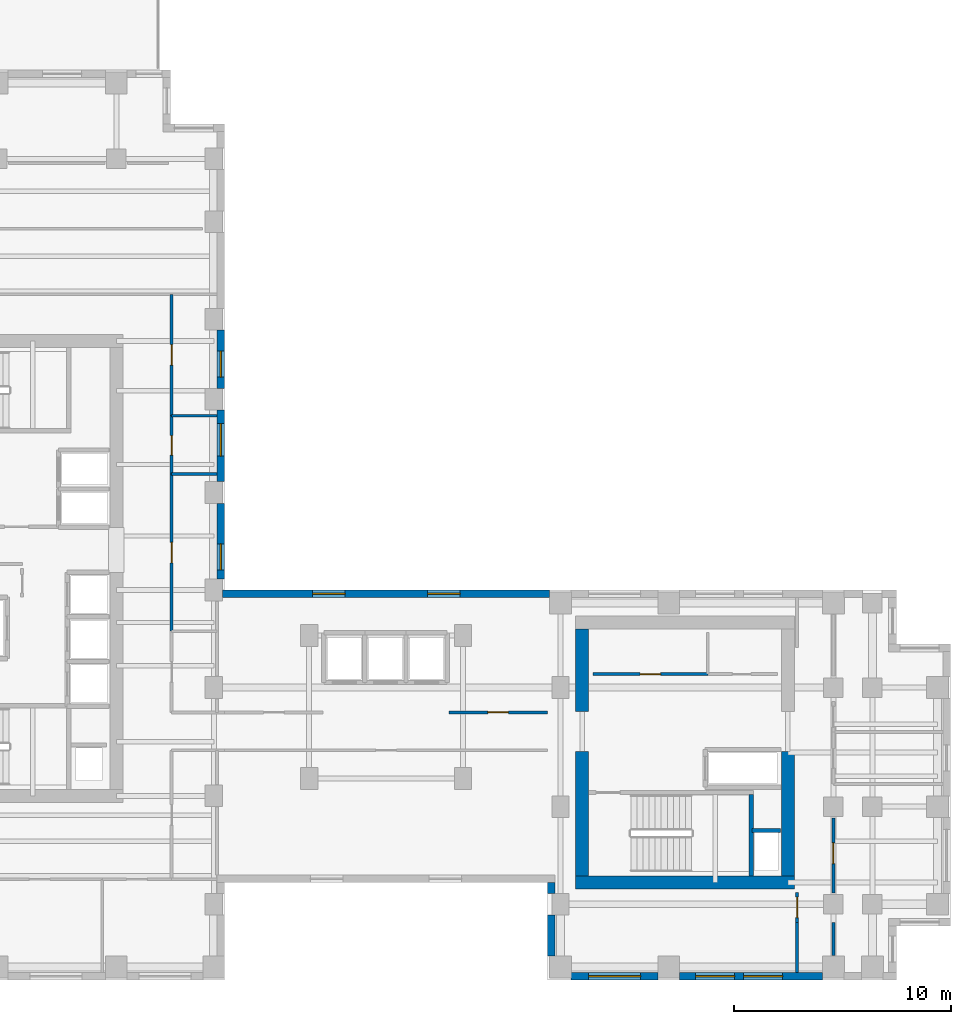
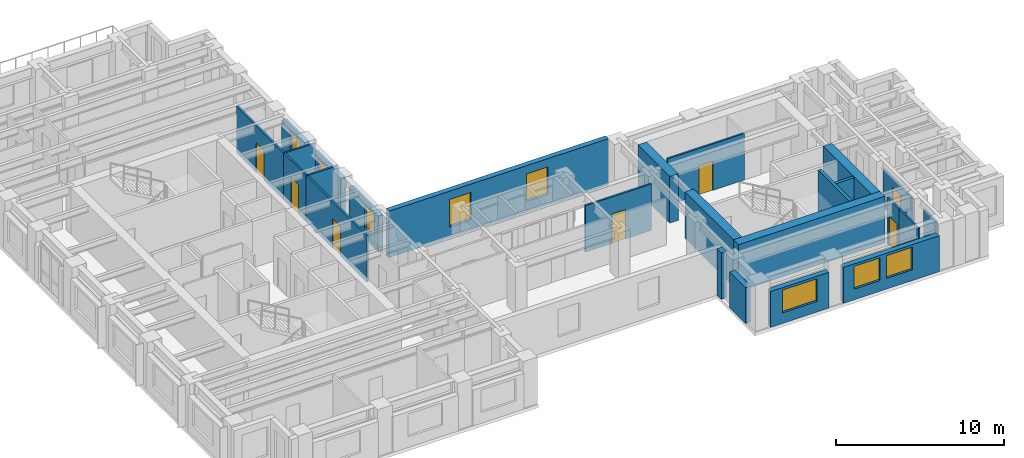
# One storey, part 7 of 13: 25 walls, 8 windows, 7 doors, 15 openings.
"""IFC4 building model written with IfcOpenShell, lengths in metres."""

from ifc_helpers import new_model, si_unit, direction, frame, frame_2d, origin, place, context, subcontext, project, spatial, rectangle, extrude, source, transform, mapped, material, layer, layer_set, type_object, element, fill, save


model = new_model("IFC4")

# Units and contexts
model_context = context("Model", 3, precision=1e-05, world=origin(), true_north=direction((0.0, 1.0)))
body_context = subcontext(model_context, "Body", "Model", "MODEL_VIEW")
ifc_project = project(units=[si_unit("LENGTHUNIT", "METRE"), si_unit("AREAUNIT", "SQUARE_METRE"), si_unit("VOLUMEUNIT", "CUBIC_METRE"), si_unit("PLANEANGLEUNIT", "RADIAN"), si_unit("MASSUNIT", "GRAM", prefix="KILO")], contexts=[model_context])

# Site, building, storey
site_placement = place(None, origin())
site = spatial("IfcSite", under=ifc_project, at=site_placement, CompositionType="ELEMENT")
building_placement = place(site_placement, origin())
building = spatial("IfcBuilding", under=site, at=building_placement, Name="Kharzan Plaza Tower", CompositionType="ELEMENT")
storey_placement = place(building_placement, frame((0.0, 0.0, 143.10009765625)))
storey = spatial("IfcBuildingStorey", under=building, at=storey_placement, Name="L38", CompositionType="ELEMENT", Elevation=143.10009765625)

# Wall, opening, window
ifc_material_1 = material(Name="Concrete C40/50", Category="concrete")
ifc_layer_1 = layer(ifc_material_1, 0.35009765625)
ifc_layer_set_1 = layer_set([ifc_layer_1], Name="Concrete C40/50")
wall_type_1 = type_object("IfcWallType", Name="WL-EXT-MAS-Z3", PredefinedType="SOLIDWALL", material=ifc_layer_set_1)
wall_1_placement = place(storey_placement, frame((35.498046875, 0.175048828125, 0.0), z_axis=(0.0, 0.0, 1.0), x_axis=(1.0, 0.0, 0.0)))
wall_1 = element("IfcWall", 1, at=wall_1_placement, inside=storey, type_object=wall_type_1, Name="L38 Masonry-Frame Exterior Wall 30", PredefinedType="SOLIDWALL", context=body_context, shape_type="SweptSolid", body=[
    extrude(rectangle(XDim=4.00390625, YDim=0.35009765625, at=frame_2d((2.001953125, 0.0))), origin(), (0.0, 0.0, 1.0), 2.61181640625),
])
opening_1_placement = place(wall_1_placement, frame((0.802001953125, 0.0, 0.780029296875)))
opening_1 = element("IfcOpeningElement", 2, at=opening_1_placement, cuts=wall_1, Name="Opening W2", PredefinedType="OPENING", context=body_context, shape_type="SweptSolid", body=[
    extrude(rectangle(XDim=2.39990234375, YDim=1.652099609375, at=frame_2d((1.199951171875, 0.826171875))), frame((0.0, 0.18505859375, 0.0), z_axis=(0.0, -1.0, 0.0), x_axis=(1.0, 0.0, 0.0)), (0.0, 0.0, 1.0), 0.3701171875),
])
ifc_material_2 = material(Name="Low-E Double Glazing", Category="glass")
window_type_1 = type_object("IfcWindowType", Name="WN-REC-2400x2100", PartitioningType="SINGLE_PANEL", PredefinedType="WINDOW", material=ifc_material_2)
shared_shape_1 = source(origin(), body_context, "Body", "SweptSolid", [
    extrude(rectangle(XDim=2.39990234375, YDim=1.652099609375, at=frame_2d((1.199951171875, 0.826171875))), frame((0.0, 0.030029296875, 0.0), z_axis=(0.0, -1.0, 0.0), x_axis=(1.0, 0.0, 0.0)), (0.0, 0.0, 1.0), 0.06005859375),
])
window_1_placement = place(opening_1_placement, origin())
window_1 = element("IfcWindow", 3, at=window_1_placement, inside=storey, type_object=window_type_1, Name="L38 Wide Recessed Solar-Control Window 30-1", OverallHeight=1.652099609375, OverallWidth=2.39990234375, PartitioningType="SINGLE_PANEL", PredefinedType="WINDOW", context=body_context, shape_type="MappedRepresentation", body=[
    mapped(shared_shape_1, transform((0.0, 0.0, 0.0), x_axis=(1.0, 0.0, 0.0), y_axis=(0.0, 1.0, 0.0), z_axis=(0.0, 0.0, 1.0))),
])
fill(opening_1, window_1)

# Wall, openings, windows
wall_2_placement = place(storey_placement, frame((40.498046875, 0.175048828125, 0.0), z_axis=(0.0, 0.0, 1.0), x_axis=(1.0, 0.0, 0.0)))
wall_2 = element("IfcWall", 4, at=wall_2_placement, inside=storey, type_object=wall_type_1, Name="L38 Masonry-Frame Exterior Wall 31", PredefinedType="SOLIDWALL", context=body_context, shape_type="SweptSolid", body=[
    extrude(rectangle(XDim=6.60400390625, YDim=0.35009765625, at=frame_2d((3.302001953125, 0.0))), origin(), (0.0, 0.0, 1.0), 2.61181640625),
])
opening_2_placement = place(wall_2_placement, frame((0.7373046875, 0.0, 0.780029296875)))
opening_2 = element("IfcOpeningElement", 5, at=opening_2_placement, cuts=wall_2, Name="Opening W1", PredefinedType="OPENING", context=body_context, shape_type="SweptSolid", body=[
    extrude(rectangle(XDim=1.800048828125, YDim=1.652099609375, at=frame_2d((0.89990234375, 0.826171875))), frame((0.0, 0.18505859375, 0.0), z_axis=(0.0, -1.0, 0.0), x_axis=(1.0, 0.0, 0.0)), (0.0, 0.0, 1.0), 0.3701171875),
])
opening_3_placement = place(wall_2_placement, frame((2.95458984375, 0.0, 0.780029296875)))
opening_3 = element("IfcOpeningElement", 6, at=opening_3_placement, cuts=wall_2, Name="Opening W1", PredefinedType="OPENING", context=body_context, shape_type="SweptSolid", body=[
    extrude(rectangle(XDim=1.800048828125, YDim=1.652099609375, at=frame_2d((0.89990234375, 0.826171875))), frame((0.0, 0.18505859375, 0.0), z_axis=(0.0, -1.0, 0.0), x_axis=(1.0, 0.0, 0.0)), (0.0, 0.0, 1.0), 0.3701171875),
])
window_type_2 = type_object("IfcWindowType", Name="WN-REC-1800x2100", PartitioningType="SINGLE_PANEL", PredefinedType="WINDOW", material=ifc_material_2)
shared_shape_2 = source(origin(), body_context, "Body", "SweptSolid", [
    extrude(rectangle(XDim=1.800048828125, YDim=1.652099609375, at=frame_2d((0.89990234375, 0.826171875))), frame((0.0, 0.030029296875, 0.0), z_axis=(0.0, -1.0, 0.0), x_axis=(1.0, 0.0, 0.0)), (0.0, 0.0, 1.0), 0.06005859375),
])
window_2_placement = place(opening_2_placement, origin())
window_2 = element("IfcWindow", 7, at=window_2_placement, inside=storey, type_object=window_type_2, Name="L38 Recessed Solar-Control Window 31-1", OverallHeight=1.652099609375, OverallWidth=1.800048828125, PartitioningType="SINGLE_PANEL", PredefinedType="WINDOW", context=body_context, shape_type="MappedRepresentation", body=[
    mapped(shared_shape_2, transform((0.0, 0.0, 0.0), x_axis=(1.0, 0.0, 0.0), y_axis=(0.0, 1.0, 0.0), z_axis=(0.0, 0.0, 1.0))),
])
fill(opening_2, window_2)
window_3_placement = place(opening_3_placement, origin())
window_3 = element("IfcWindow", 8, at=window_3_placement, inside=storey, type_object=window_type_2, Name="L38 Recessed Solar-Control Window 31-2", OverallHeight=1.652099609375, OverallWidth=1.800048828125, PartitioningType="SINGLE_PANEL", PredefinedType="WINDOW", context=body_context, shape_type="MappedRepresentation", body=[
    mapped(shared_shape_2, transform((0.0, 0.0, 0.0), x_axis=(1.0, 0.0, 0.0), y_axis=(0.0, 1.0, 0.0), z_axis=(0.0, 0.0, 1.0))),
])
fill(opening_3, window_3)

wall_3_placement = place(storey_placement, frame((34.501953125, 17.824951171875, 0.0), z_axis=(0.0, 0.0, 1.0), x_axis=(-1.0, 0.0, 0.0)))
wall_3 = element("IfcWall", 9, at=wall_3_placement, inside=storey, type_object=wall_type_1, Name="L38 Masonry-Frame Exterior Wall 45", PredefinedType="SOLIDWALL", context=body_context, shape_type="SweptSolid", body=[
    extrude(rectangle(XDim=15.10400390625, YDim=0.35009765625, at=frame_2d((7.552001953125, 0.0))), origin(), (0.0, 0.0, 1.0), 3.385009765625),
])
opening_4_placement = place(wall_3_placement, frame((4.131103515625, 0.0, 0.780029296875)))
opening_4 = element("IfcOpeningElement", 10, at=opening_4_placement, cuts=wall_3, Name="Opening W5", PredefinedType="OPENING", context=body_context, shape_type="SweptSolid", body=[
    extrude(rectangle(XDim=1.5, YDim=2.0, at=frame_2d((0.75, 1.0))), frame((0.0, 0.18505859375, 0.0), z_axis=(0.0, -1.0, 0.0), x_axis=(1.0, 0.0, 0.0)), (0.0, 0.0, 1.0), 0.3701171875),
])
opening_5_placement = place(wall_3_placement, frame((9.4423828125, 0.0, 0.780029296875)))
opening_5 = element("IfcOpeningElement", 11, at=opening_5_placement, cuts=wall_3, Name="Opening W5", PredefinedType="OPENING", context=body_context, shape_type="SweptSolid", body=[
    extrude(rectangle(XDim=1.5, YDim=2.0, at=frame_2d((0.75, 1.0))), frame((0.0, 0.18505859375, 0.0), z_axis=(0.0, -1.0, 0.0), x_axis=(1.0, 0.0, 0.0)), (0.0, 0.0, 1.0), 0.3701171875),
])
window_type_3 = type_object("IfcWindowType", Name="WN-SLT-1500x2000", PartitioningType="SINGLE_PANEL", PredefinedType="WINDOW", material=ifc_material_2)
shared_shape_3 = source(origin(), body_context, "Body", "SweptSolid", [
    extrude(rectangle(XDim=1.5, YDim=2.0, at=frame_2d((0.75, 1.0))), frame((0.0, 0.030029296875, 0.0), z_axis=(0.0, -1.0, 0.0), x_axis=(1.0, 0.0, 0.0)), (0.0, 0.0, 1.0), 0.06005859375),
])
window_4_placement = place(opening_4_placement, origin())
window_4 = element("IfcWindow", 12, at=window_4_placement, inside=storey, type_object=window_type_3, Name="L38 Recessed Solar-Control Window 45-1", OverallHeight=2.0, OverallWidth=1.5, PartitioningType="SINGLE_PANEL", PredefinedType="WINDOW", context=body_context, shape_type="MappedRepresentation", body=[
    mapped(shared_shape_3, transform((0.0, 0.0, 0.0), x_axis=(1.0, 0.0, 0.0), y_axis=(0.0, 1.0, 0.0), z_axis=(0.0, 0.0, 1.0))),
])
fill(opening_4, window_4)
window_5_placement = place(opening_5_placement, origin())
window_5 = element("IfcWindow", 13, at=window_5_placement, inside=storey, type_object=window_type_3, Name="L38 Recessed Solar-Control Window 45-2", OverallHeight=2.0, OverallWidth=1.5, PartitioningType="SINGLE_PANEL", PredefinedType="WINDOW", context=body_context, shape_type="MappedRepresentation", body=[
    mapped(shared_shape_3, transform((0.0, 0.0, 0.0), x_axis=(1.0, 0.0, 0.0), y_axis=(0.0, 1.0, 0.0), z_axis=(0.0, 0.0, 1.0))),
])
fill(opening_5, window_5)

# Wall, opening, window
wall_4_placement = place(storey_placement, frame((19.324951171875, 18.498046875, 0.0), z_axis=(0.0, 0.0, 1.0), x_axis=(0.0, 1.0, 0.0)))
wall_4 = element("IfcWall", 14, at=wall_4_placement, inside=storey, type_object=wall_type_1, Name="L38 Masonry-Frame Exterior Wall 46", PredefinedType="SOLIDWALL", context=body_context, shape_type="SweptSolid", body=[
    extrude(rectangle(XDim=3.50390625, YDim=0.35009765625, at=frame_2d((1.751953125, 0.0))), origin(), (0.0, 0.0, 1.0), 2.61181640625),
])
opening_6_placement = place(wall_4_placement, frame((0.4326171875, 0.0, 0.780029296875)))
opening_6 = element("IfcOpeningElement", 15, at=opening_6_placement, cuts=wall_4, Name="Opening W3", PredefinedType="OPENING", context=body_context, shape_type="SweptSolid", body=[
    extrude(rectangle(XDim=1.199951171875, YDim=1.652099609375, at=frame_2d((0.60009765625, 0.826171875))), frame((0.0, 0.18505859375, 0.0), z_axis=(0.0, -1.0, 0.0), x_axis=(1.0, 0.0, 0.0)), (0.0, 0.0, 1.0), 0.3701171875),
])
window_type_4 = type_object("IfcWindowType", Name="WN-REC-1200x2100", PartitioningType="SINGLE_PANEL", PredefinedType="WINDOW", material=ifc_material_2)
shared_shape_4 = source(origin(), body_context, "Body", "SweptSolid", [
    extrude(rectangle(XDim=1.199951171875, YDim=1.652099609375, at=frame_2d((0.60009765625, 0.826171875))), frame((0.0, 0.030029296875, 0.0), z_axis=(0.0, -1.0, 0.0), x_axis=(1.0, 0.0, 0.0)), (0.0, 0.0, 1.0), 0.06005859375),
])
window_6_placement = place(opening_6_placement, origin())
window_6 = element("IfcWindow", 16, at=window_6_placement, inside=storey, type_object=window_type_4, Name="L38 Recessed Solar-Control Window 46-1", OverallHeight=1.652099609375, OverallWidth=1.199951171875, PartitioningType="SINGLE_PANEL", PredefinedType="WINDOW", context=body_context, shape_type="MappedRepresentation", body=[
    mapped(shared_shape_4, transform((0.0, 0.0, 0.0), x_axis=(1.0, 0.0, 0.0), y_axis=(0.0, 1.0, 0.0), z_axis=(0.0, 0.0, 1.0))),
])
fill(opening_6, window_6)

wall_5_placement = place(storey_placement, frame((19.324951171875, 22.998046875, 0.0), z_axis=(0.0, 0.0, 1.0), x_axis=(0.0, 1.0, 0.0)))
wall_5 = element("IfcWall", 17, at=wall_5_placement, inside=storey, type_object=wall_type_1, Name="L38 Masonry-Frame Exterior Wall 47", PredefinedType="SOLIDWALL", context=body_context, shape_type="SweptSolid", body=[
    extrude(rectangle(XDim=3.303955078125, YDim=0.35009765625, at=frame_2d((1.65185546875, 0.0))), origin(), (0.0, 0.0, 1.0), 2.61181640625),
])
opening_7_placement = place(wall_5_placement, frame((1.180419921875, 0.0, 0.780029296875)))
opening_7 = element("IfcOpeningElement", 18, at=opening_7_placement, cuts=wall_5, Name="Opening W5", PredefinedType="OPENING", context=body_context, shape_type="SweptSolid", body=[
    extrude(rectangle(XDim=1.5, YDim=1.652099609375, at=frame_2d((0.75, 0.826171875))), frame((0.0, 0.18505859375, 0.0), z_axis=(0.0, -1.0, 0.0), x_axis=(1.0, 0.0, 0.0)), (0.0, 0.0, 1.0), 0.3701171875),
])
shared_shape_5 = source(origin(), body_context, "Body", "SweptSolid", [
    extrude(rectangle(XDim=1.5, YDim=1.652099609375, at=frame_2d((0.75, 0.826171875))), frame((0.0, 0.030029296875, 0.0), z_axis=(0.0, -1.0, 0.0), x_axis=(1.0, 0.0, 0.0)), (0.0, 0.0, 1.0), 0.06005859375),
])
window_7_placement = place(opening_7_placement, origin())
window_7 = element("IfcWindow", 19, at=window_7_placement, inside=storey, type_object=window_type_3, Name="L38 Recessed Solar-Control Window 47-1", OverallHeight=1.652099609375, OverallWidth=1.5, PartitioningType="SINGLE_PANEL", PredefinedType="WINDOW", context=body_context, shape_type="MappedRepresentation", body=[
    mapped(shared_shape_5, transform((0.0, 0.0, 0.0), x_axis=(1.0, 0.0, 0.0), y_axis=(0.0, 1.0, 0.0), z_axis=(0.0, 0.0, 1.0))),
])
fill(opening_7, window_7)

wall_6_placement = place(storey_placement, frame((19.324951171875, 27.298095703125, 0.0), z_axis=(0.0, 0.0, 1.0), x_axis=(0.0, 1.0, 0.0)))
wall_6 = element("IfcWall", 20, at=wall_6_placement, inside=storey, type_object=wall_type_1, Name="L38 Masonry-Frame Exterior Wall 48", PredefinedType="SOLIDWALL", context=body_context, shape_type="SweptSolid", body=[
    extrude(rectangle(XDim=2.703857421875, YDim=0.35009765625, at=frame_2d((1.35205078125, 0.0))), origin(), (0.0, 0.0, 1.0), 2.61181640625),
])
opening_8_placement = place(wall_6_placement, frame((0.523681640625, 0.0, 0.780029296875)))
opening_8 = element("IfcOpeningElement", 21, at=opening_8_placement, cuts=wall_6, Name="Opening W3", PredefinedType="OPENING", context=body_context, shape_type="SweptSolid", body=[
    extrude(rectangle(XDim=1.199951171875, YDim=1.652099609375, at=frame_2d((0.60009765625, 0.826171875))), frame((0.0, 0.18505859375, 0.0), z_axis=(0.0, -1.0, 0.0), x_axis=(1.0, 0.0, 0.0)), (0.0, 0.0, 1.0), 0.3701171875),
])
window_8_placement = place(opening_8_placement, origin())
window_8 = element("IfcWindow", 22, at=window_8_placement, inside=storey, type_object=window_type_4, Name="L38 Recessed Solar-Control Window 48-1", OverallHeight=1.652099609375, OverallWidth=1.199951171875, PartitioningType="SINGLE_PANEL", PredefinedType="WINDOW", context=body_context, shape_type="MappedRepresentation", body=[
    mapped(shared_shape_4, transform((0.0, 0.0, 0.0), x_axis=(1.0, 0.0, 0.0), y_axis=(0.0, 1.0, 0.0), z_axis=(0.0, 0.0, 1.0))),
])
fill(opening_8, window_8)

# Wall, opening, door
ifc_material_3 = material(Name="Fire-Rated Gypsum Board Partition", Category="gypsum")
ifc_layer_2 = layer(ifc_material_3, 0.125)
ifc_layer_set_2 = layer_set([ifc_layer_2], Name="Fire-Rated Gypsum Board Partition")
wall_type_2 = type_object("IfcWallType", Name="WL-INT-PART-125", PredefinedType="PARTITIONING", material=ifc_layer_set_2)
wall_7_placement = place(storey_placement, frame((36.5, 14.1201171875, 0.0), z_axis=(0.0, 0.0, 1.0), x_axis=(1.0, 0.0, 0.0)))
wall_7 = element("IfcWall", 23, at=wall_7_placement, inside=storey, type_object=wall_type_2, Name="L38 Interior Partition CB-RBLSA", PredefinedType="PARTITIONING", context=body_context, shape_type="SweptSolid", body=[
    extrude(rectangle(XDim=5.300048828125, YDim=0.125, at=frame_2d((2.64990234375, 0.0))), origin(), (0.0, 0.0, 1.0), 3.385009765625),
])
opening_9_placement = place(wall_7_placement, frame((2.175048828125, 0.0, 0.0)))
opening_9 = element("IfcOpeningElement", 24, at=opening_9_placement, cuts=wall_7, Name="Opening OD1", PredefinedType="OPENING", context=body_context, shape_type="SweptSolid", body=[
    extrude(rectangle(XDim=0.949951171875, YDim=2.14990234375, at=frame_2d((0.47509765625, 1.074951171875))), frame((0.0, 0.072509765625, 0.0), z_axis=(0.0, -1.0, 0.0), x_axis=(1.0, 0.0, 0.0)), (0.0, 0.0, 1.0), 0.14501953125),
])
ifc_material_4 = material(Name="Acoustic Solid-Core Stained Oak", Category="timber")
door_type_1 = type_object("IfcDoorType", Name="DR-OFF-SINGLE", OperationType="NOTDEFINED", PredefinedType="DOOR", material=ifc_material_4)
shared_shape_6 = source(origin(), body_context, "Body", "SweptSolid", [
    extrude(rectangle(XDim=0.949951171875, YDim=2.14990234375, at=frame_2d((0.47509765625, 1.074951171875))), frame((0.0, 0.02490234375, 0.0), z_axis=(0.0, -1.0, 0.0), x_axis=(1.0, 0.0, 0.0)), (0.0, 0.0, 1.0), 0.050048828125),
])
door_1_placement = place(opening_9_placement, origin())
door_1 = element("IfcDoor", 25, at=door_1_placement, inside=storey, type_object=door_type_1, Name="L38 Records Room Door", OperationType="SINGLE_SWING_LEFT", OverallHeight=2.14990234375, OverallWidth=0.949951171875, PredefinedType="DOOR", context=body_context, shape_type="MappedRepresentation", body=[
    mapped(shared_shape_6, transform((0.0, 0.0, 0.0), x_axis=(1.0, 0.0, 0.0), y_axis=(0.0, 1.0, 0.0), z_axis=(0.0, 0.0, 1.0))),
])
fill(opening_9, door_1)

wall_8_placement = place(storey_placement, frame((17.050048828125, 16.10009765625, 0.0), z_axis=(0.0, 0.0, 1.0), x_axis=(0.0, 1.0, 0.0)))
wall_8 = element("IfcWall", 26, at=wall_8_placement, inside=storey, type_object=wall_type_2, Name="L38 Interior Partition SH-AEWN2", PredefinedType="PARTITIONING", context=body_context, shape_type="SweptSolid", body=[
    extrude(rectangle(XDim=7.25, YDim=0.125, at=frame_2d((3.625, 0.0))), origin(), (0.0, 0.0, 1.0), 3.385009765625),
])
opening_10_placement = place(wall_8_placement, frame((3.14990234375, 0.0, 0.0)))
opening_10 = element("IfcOpeningElement", 27, at=opening_10_placement, cuts=wall_8, Name="Opening OD1", PredefinedType="OPENING", context=body_context, shape_type="SweptSolid", body=[
    extrude(rectangle(XDim=0.949951171875, YDim=2.14990234375, at=frame_2d((0.47509765625, 1.074951171875))), frame((0.0, 0.072509765625, 0.0), z_axis=(0.0, -1.0, 0.0), x_axis=(1.0, 0.0, 0.0)), (0.0, 0.0, 1.0), 0.14501953125),
])
door_2_placement = place(opening_10_placement, origin())
door_2 = element("IfcDoor", 28, at=door_2_placement, inside=storey, type_object=door_type_1, Name="L38 Slot Studio Door", OperationType="SINGLE_SWING_LEFT", OverallHeight=2.14990234375, OverallWidth=0.949951171875, PredefinedType="DOOR", context=body_context, shape_type="MappedRepresentation", body=[
    mapped(shared_shape_6, transform((0.0, 0.0, 0.0), x_axis=(1.0, 0.0, 0.0), y_axis=(0.0, 1.0, 0.0), z_axis=(0.0, 0.0, 1.0))),
])
fill(opening_10, door_2)

wall_9_placement = place(storey_placement, frame((17.050048828125, 26.050048828125, 0.0), z_axis=(0.0, 0.0, 1.0), x_axis=(0.0, 1.0, 0.0)))
wall_9 = element("IfcWall", 29, at=wall_9_placement, inside=storey, type_object=wall_type_2, Name="L38 Interior Partition SH-AEWN3", PredefinedType="PARTITIONING", context=body_context, shape_type="SweptSolid", body=[
    extrude(rectangle(XDim=5.599853515625, YDim=0.125, at=frame_2d((2.7998046875, 0.0))), origin(), (0.0, 0.0, 1.0), 3.385009765625),
])
opening_11_placement = place(wall_9_placement, frame((2.324951171875, 0.0, 0.0)))
opening_11 = element("IfcOpeningElement", 30, at=opening_11_placement, cuts=wall_9, Name="Opening OD1", PredefinedType="OPENING", context=body_context, shape_type="SweptSolid", body=[
    extrude(rectangle(XDim=0.949951171875, YDim=2.14990234375, at=frame_2d((0.47509765625, 1.074951171875))), frame((0.0, 0.072509765625, 0.0), z_axis=(0.0, -1.0, 0.0), x_axis=(1.0, 0.0, 0.0)), (0.0, 0.0, 1.0), 0.14501953125),
])
door_3_placement = place(opening_11_placement, origin())
door_3 = element("IfcDoor", 31, at=door_3_placement, inside=storey, type_object=door_type_1, Name="L38 Staff Tea Point Door", OperationType="SINGLE_SWING_LEFT", OverallHeight=2.14990234375, OverallWidth=0.949951171875, PredefinedType="DOOR", context=body_context, shape_type="MappedRepresentation", body=[
    mapped(shared_shape_6, transform((0.0, 0.0, 0.0), x_axis=(1.0, 0.0, 0.0), y_axis=(0.0, 1.0, 0.0), z_axis=(0.0, 0.0, 1.0))),
])
fill(opening_11, door_3)

wall_10_placement = place(storey_placement, frame((17.050048828125, 23.35009765625, 0.0), z_axis=(0.0, 0.0, 1.0), x_axis=(0.0, 1.0, 0.0)))
wall_10 = element("IfcWall", 32, at=wall_10_placement, inside=storey, type_object=wall_type_2, Name="L38 Interior Partition SH-AEWW", PredefinedType="PARTITIONING", context=body_context, shape_type="SweptSolid", body=[
    extrude(rectangle(XDim=2.699951171875, YDim=0.125, at=frame_2d((1.35009765625, 0.0))), origin(), (0.0, 0.0, 1.0), 3.385009765625),
])
opening_12_placement = place(wall_10_placement, frame((0.875, 0.0, 0.0)))
opening_12 = element("IfcOpeningElement", 33, at=opening_12_placement, cuts=wall_10, Name="Opening WD1", PredefinedType="OPENING", context=body_context, shape_type="SweptSolid", body=[
    extrude(rectangle(XDim=0.89990234375, YDim=2.14990234375, at=frame_2d((0.449951171875, 1.074951171875))), frame((0.0, 0.072509765625, 0.0), z_axis=(0.0, -1.0, 0.0), x_axis=(1.0, 0.0, 0.0)), (0.0, 0.0, 1.0), 0.14501953125),
])
ifc_material_5 = material(Name="Moisture-Resistant Fire-Rated Laminate", Category="timber")
door_type_2 = type_object("IfcDoorType", Name="DR-WC-900", OperationType="NOTDEFINED", PredefinedType="DOOR", material=ifc_material_5)
shared_shape_7 = source(origin(), body_context, "Body", "SweptSolid", [
    extrude(rectangle(XDim=0.89990234375, YDim=2.14990234375, at=frame_2d((0.449951171875, 1.074951171875))), frame((0.0, 0.02490234375, 0.0), z_axis=(0.0, -1.0, 0.0), x_axis=(1.0, 0.0, 0.0)), (0.0, 0.0, 1.0), 0.050048828125),
])
door_4_placement = place(opening_12_placement, origin())
door_4 = element("IfcDoor", 34, at=door_4_placement, inside=storey, type_object=door_type_2, Name="L38 Wing A Washroom Door", OperationType="SINGLE_SWING_RIGHT", OverallHeight=2.14990234375, OverallWidth=0.89990234375, PredefinedType="DOOR", context=body_context, shape_type="MappedRepresentation", body=[
    mapped(shared_shape_7, transform((0.0, 0.0, 0.0), x_axis=(1.0, 0.0, 0.0), y_axis=(0.0, 1.0, 0.0), z_axis=(0.0, 0.0, 1.0))),
])
fill(opening_12, door_4)

wall_11_placement = place(storey_placement, frame((47.60009765625, 4.02001953125, 0.0), z_axis=(0.0, 0.0, 1.0), x_axis=(0.0, 1.0, 0.0)))
wall_11 = element("IfcWall", 35, at=wall_11_placement, inside=storey, type_object=wall_type_2, Name="L38 Interior Partition SH-B1W0", PredefinedType="PARTITIONING", context=body_context, shape_type="SweptSolid", body=[
    extrude(rectangle(XDim=3.4599609375, YDim=0.125, at=frame_2d((1.72998046875, 0.0))), origin(), (0.0, 0.0, 1.0), 2.77294921875),
])
opening_13_placement = place(wall_11_placement, frame((1.35498046875, 0.0, 0.0)))
opening_13 = element("IfcOpeningElement", 36, at=opening_13_placement, cuts=wall_11, Name="Opening OD1", PredefinedType="OPENING", context=body_context, shape_type="SweptSolid", body=[
    extrude(rectangle(XDim=0.949951171875, YDim=2.14990234375, at=frame_2d((0.47509765625, 1.074951171875))), frame((0.0, 0.072509765625, 0.0), z_axis=(0.0, -1.0, 0.0), x_axis=(1.0, 0.0, 0.0)), (0.0, 0.0, 1.0), 0.14501953125),
])
door_5_placement = place(opening_13_placement, origin())
door_5 = element("IfcDoor", 37, at=door_5_placement, inside=storey, type_object=door_type_1, Name="L38 Wing B South Studio Door", OperationType="SINGLE_SWING_RIGHT", OverallHeight=2.14990234375, OverallWidth=0.949951171875, PredefinedType="DOOR", context=body_context, shape_type="MappedRepresentation", body=[
    mapped(shared_shape_6, transform((0.0, 0.0, 0.0), x_axis=(1.0, 0.0, 0.0), y_axis=(0.0, 1.0, 0.0), z_axis=(0.0, 0.0, 1.0))),
])
fill(opening_13, door_5)

wall_12_placement = place(storey_placement, frame((45.919921875, 2.64990234375, 0.0), z_axis=(0.0, 0.0, 1.0), x_axis=(0.0, 1.0, 0.0)))
wall_12 = element("IfcWall", 38, at=wall_12_placement, inside=storey, type_object=wall_type_2, Name="L38 Interior Partition SH-RBSE", PredefinedType="PARTITIONING", context=body_context, shape_type="SweptSolid", body=[
    extrude(rectangle(XDim=1.400146484375, YDim=0.125, at=frame_2d((0.7001953125, 0.0))), origin(), (0.0, 0.0, 1.0), 3.385009765625),
])
opening_14_placement = place(wall_12_placement, frame((0.22509765625, 0.0, 0.0)))
opening_14 = element("IfcOpeningElement", 39, at=opening_14_placement, cuts=wall_12, Name="Opening OD1", PredefinedType="OPENING", context=body_context, shape_type="SweptSolid", body=[
    extrude(rectangle(XDim=0.949951171875, YDim=2.14990234375, at=frame_2d((0.47509765625, 1.074951171875))), frame((0.0, 0.072509765625, 0.0), z_axis=(0.0, -1.0, 0.0), x_axis=(1.0, 0.0, 0.0)), (0.0, 0.0, 1.0), 0.14501953125),
])
door_6_placement = place(opening_14_placement, origin())
door_6 = element("IfcDoor", 40, at=door_6_placement, inside=storey, type_object=door_type_1, Name="L38 South-East Corner Office Door", OperationType="SINGLE_SWING_LEFT", OverallHeight=2.14990234375, OverallWidth=0.949951171875, PredefinedType="DOOR", context=body_context, shape_type="MappedRepresentation", body=[
    mapped(shared_shape_6, transform((0.0, 0.0, 0.0), x_axis=(1.0, 0.0, 0.0), y_axis=(0.0, 1.0, 0.0), z_axis=(0.0, 0.0, 1.0))),
])
fill(opening_14, door_6)

wall_13_placement = place(storey_placement, frame((29.85009765625, 12.35009765625, 0.0), z_axis=(0.0, 0.0, 1.0), x_axis=(1.0, 0.0, 0.0)))
wall_13 = element("IfcWall", 41, at=wall_13_placement, inside=storey, type_object=wall_type_2, Name="L38 Interior Partition SH-SPNE1", PredefinedType="PARTITIONING", context=body_context, shape_type="SweptSolid", body=[
    extrude(rectangle(XDim=4.5498046875, YDim=0.125, at=frame_2d((2.27490234375, 0.0))), origin(), (0.0, 0.0, 1.0), 3.385009765625),
])
opening_15_placement = place(wall_13_placement, frame((1.800048828125, 0.0, 0.0)))
opening_15 = element("IfcOpeningElement", 42, at=opening_15_placement, cuts=wall_13, Name="Opening OD1", PredefinedType="OPENING", context=body_context, shape_type="SweptSolid", body=[
    extrude(rectangle(XDim=0.949951171875, YDim=2.14990234375, at=frame_2d((0.47509765625, 1.074951171875))), frame((0.0, 0.072509765625, 0.0), z_axis=(0.0, -1.0, 0.0), x_axis=(1.0, 0.0, 0.0)), (0.0, 0.0, 1.0), 0.14501953125),
])
door_7_placement = place(opening_15_placement, origin())
door_7 = element("IfcDoor", 43, at=door_7_placement, inside=storey, type_object=door_type_1, Name="L38 North-East Spine Door", OperationType="SINGLE_SWING_RIGHT", OverallHeight=2.14990234375, OverallWidth=0.949951171875, PredefinedType="DOOR", context=body_context, shape_type="MappedRepresentation", body=[
    mapped(shared_shape_6, transform((0.0, 0.0, 0.0), x_axis=(1.0, 0.0, 0.0), y_axis=(0.0, 1.0, 0.0), z_axis=(0.0, 0.0, 1.0))),
])
fill(opening_15, door_7)

# Walls
ifc_material_6 = material(Name="Concrete C50/60", Category="concrete")
ifc_layer_3 = layer(ifc_material_6, 0.60009765625)
ifc_layer_set_3 = layer_set([ifc_layer_3], Name="Concrete C50/60")
wall_type_3 = type_object("IfcWallType", Name="WL-CORE-600", PredefinedType="SHEAR", material=ifc_layer_set_3)
shared_shape_8 = source(origin(), body_context, "Body", "SweptSolid", [
    extrude(rectangle(XDim=5.75, YDim=0.60009765625, at=frame_2d((2.875, 0.0))), origin(), (0.0, 0.0, 1.0), 3.39990234375),
])
for number, where, z_axis, x_axis, name in (
    (44, (45.5, 4.800048828125, 0.0), (0.0, 0.0, 1.0), (0.0, 1.0, 0.0), "L38 CORE-B east shear pier 1"),
    (45, (36.0, 4.800048828125, 0.0), (0.0, 0.0, 1.0), (0.0, 1.0, 0.0), "L38 CORE-B west shear pier 1"),
):
    element("IfcWall", number, at=place(storey_placement, frame(where, z_axis=z_axis, x_axis=x_axis)), inside=storey, type_object=wall_type_3, Name=name, PredefinedType="SHEAR", context=body_context, shape_type="MappedRepresentation", body=[
        mapped(shared_shape_8, transform((0.0, 0.0, 0.0), x_axis=(1.0, 0.0, 0.0), y_axis=(0.0, 1.0, 0.0), z_axis=(0.0, 0.0, 1.0))),
    ])
shared_shape_9 = source(origin(), body_context, "Body", "SweptSolid", [
    extrude(rectangle(XDim=3.800048828125, YDim=0.60009765625, at=frame_2d((1.89990234375, 0.0))), origin(), (0.0, 0.0, 1.0), 3.39990234375),
])
wall_14_placement = place(storey_placement, frame((36.0, 12.39990234375, 0.0), z_axis=(0.0, 0.0, 1.0), x_axis=(0.0, 1.0, 0.0)))
element("IfcWall", 46, at=wall_14_placement, inside=storey, type_object=wall_type_3, Name="L38 CORE-B west shear pier 2", PredefinedType="SHEAR", context=body_context, shape_type="MappedRepresentation", body=[
    mapped(shared_shape_9, transform((0.0, 0.0, 0.0), x_axis=(1.0, 0.0, 0.0), y_axis=(0.0, 1.0, 0.0), z_axis=(0.0, 0.0, 1.0))),
])
shared_shape_10 = source(origin(), body_context, "Body", "SweptSolid", [
    extrude(rectangle(XDim=10.10009765625, YDim=0.60009765625, at=frame_2d((5.050048828125, 0.0))), origin(), (0.0, 0.0, 1.0), 3.39990234375),
])
wall_15_placement = place(storey_placement, frame((35.699951171875, 4.5, 0.0), z_axis=(0.0, 0.0, 1.0), x_axis=(1.0, 0.0, 0.0)))
element("IfcWall", 47, at=wall_15_placement, inside=storey, type_object=wall_type_3, Name="L38 CORE-B south RC shear wall", PredefinedType="SHEAR", context=body_context, shape_type="MappedRepresentation", body=[
    mapped(shared_shape_10, transform((0.0, 0.0, 0.0), x_axis=(1.0, 0.0, 0.0), y_axis=(0.0, 1.0, 0.0), z_axis=(0.0, 0.0, 1.0))),
])
shared_shape_11 = source(origin(), body_context, "Body", "SweptSolid", [
    extrude(rectangle(XDim=1.904052734375, YDim=0.35009765625, at=frame_2d((0.9521484375, 0.0))), origin(), (0.0, 0.0, 1.0), 2.61181640625),
])
wall_16_placement = place(storey_placement, frame((34.574951171875, 3.001953125, 0.0), z_axis=(0.0, 0.0, 1.0), x_axis=(0.0, -1.0, 0.0)))
element("IfcWall", 48, at=wall_16_placement, inside=storey, type_object=wall_type_1, Name="L38 Masonry-Frame Exterior Wall 29", PredefinedType="SOLIDWALL", context=body_context, shape_type="MappedRepresentation", body=[
    mapped(shared_shape_11, transform((0.0, 0.0, 0.0), x_axis=(1.0, 0.0, 0.0), y_axis=(0.0, 1.0, 0.0), z_axis=(0.0, 0.0, 1.0))),
])
shared_shape_12 = source(origin(), body_context, "Body", "SweptSolid", [
    extrude(rectangle(XDim=0.50390625, YDim=0.35009765625, at=frame_2d((0.251953125, 0.0))), origin(), (0.0, 0.0, 1.0), 3.385009765625),
])
wall_17_placement = place(storey_placement, frame((34.574951171875, 4.501953125, 0.0), z_axis=(0.0, 0.0, 1.0), x_axis=(0.0, -1.0, 0.0)))
element("IfcWall", 49, at=wall_17_placement, inside=storey, type_object=wall_type_1, Name="L38 Masonry-Frame Exterior Wall 28", PredefinedType="SOLIDWALL", context=body_context, shape_type="MappedRepresentation", body=[
    mapped(shared_shape_12, transform((0.0, 0.0, 0.0), x_axis=(1.0, 0.0, 0.0), y_axis=(0.0, 1.0, 0.0), z_axis=(0.0, 0.0, 1.0))),
])
shared_shape_13 = source(origin(), body_context, "Body", "SweptSolid", [
    extrude(rectangle(XDim=2.097900390625, YDim=0.125, at=frame_2d((1.048828125, 0.0))), origin(), (0.0, 0.0, 1.0), 3.385009765625),
])
for number, where, z_axis, x_axis, name in (
    (50, (17.050048828125, 23.35009765625, 0.0), (0.0, 0.0, 1.0), (1.0, 0.0, 0.0), "L38 Interior Partition SH-AEH-233"),
    (51, (17.050048828125, 26.050048828125, 0.0), (0.0, 0.0, 1.0), (1.0, 0.0, 0.0), "L38 Interior Partition SH-AEH-260"),
):
    element("IfcWall", number, at=place(storey_placement, frame(where, z_axis=z_axis, x_axis=x_axis)), inside=storey, type_object=wall_type_2, Name=name, PredefinedType="PARTITIONING", context=body_context, shape_type="MappedRepresentation", body=[
        mapped(shared_shape_13, transform((0.0, 0.0, 0.0), x_axis=(1.0, 0.0, 0.0), y_axis=(0.0, 1.0, 0.0), z_axis=(0.0, 0.0, 1.0))),
    ])
shared_shape_14 = source(origin(), body_context, "Body", "SweptSolid", [
    extrude(rectangle(XDim=1.52978515625, YDim=0.125, at=frame_2d((0.764892578125, 0.0))), origin(), (0.0, 0.0, 1.0), 2.77294921875),
])
wall_18_placement = place(storey_placement, frame((47.60009765625, 1.1201171875, 0.0), z_axis=(0.0, 0.0, 1.0), x_axis=(0.0, 1.0, 0.0)))
element("IfcWall", 52, at=wall_18_placement, inside=storey, type_object=wall_type_2, Name="L38 Interior Partition SH-B1W0S", PredefinedType="PARTITIONING", context=body_context, shape_type="MappedRepresentation", body=[
    mapped(shared_shape_14, transform((0.0, 0.0, 0.0), x_axis=(1.0, 0.0, 0.0), y_axis=(0.0, 1.0, 0.0), z_axis=(0.0, 0.0, 1.0))),
])
shared_shape_15 = source(origin(), body_context, "Body", "SweptSolid", [
    extrude(rectangle(XDim=2.2978515625, YDim=0.125, at=frame_2d((1.14892578125, 0.0))), origin(), (0.0, 0.0, 1.0), 3.385009765625),
])
wall_19_placement = place(storey_placement, frame((45.919921875, 0.35205078125, 0.0), z_axis=(0.0, 0.0, 1.0), x_axis=(0.0, 1.0, 0.0)))
element("IfcWall", 53, at=wall_19_placement, inside=storey, type_object=wall_type_2, Name="L38 Interior Partition SH-RBSE0", PredefinedType="PARTITIONING", context=body_context, shape_type="MappedRepresentation", body=[
    mapped(shared_shape_15, transform((0.0, 0.0, 0.0), x_axis=(1.0, 0.0, 0.0), y_axis=(0.0, 1.0, 0.0), z_axis=(0.0, 0.0, 1.0))),
])
ifc_layer_4 = layer(ifc_material_1, 0.199951171875)
ifc_layer_set_4 = layer_set([ifc_layer_4], Name="Concrete C40/50")
wall_type_4 = type_object("IfcWallType", Name="WL-INT-SHAFT-200", PredefinedType="PARTITIONING", material=ifc_layer_set_4)
shared_shape_16 = source(origin(), body_context, "Body", "SweptSolid", [
    extrude(rectangle(XDim=1.2998046875, YDim=0.199951171875, at=frame_2d((0.64990234375, 0.0))), origin(), (0.0, 0.0, 1.0), 3.385009765625),
])
wall_20_placement = place(storey_placement, frame((43.85009765625, 6.89990234375, 0.0), z_axis=(0.0, 0.0, 1.0), x_axis=(1.0, 0.0, 0.0)))
element("IfcWall", 54, at=wall_20_placement, inside=storey, type_object=wall_type_4, Name="L38 Interior Partition CB-RSRB-N", PredefinedType="PARTITIONING", context=body_context, shape_type="MappedRepresentation", body=[
    mapped(shared_shape_16, transform((0.0, 0.0, 0.0), x_axis=(1.0, 0.0, 0.0), y_axis=(0.0, 1.0, 0.0), z_axis=(0.0, 0.0, 1.0))),
])
ifc_layer_5 = layer(ifc_material_6, 0.199951171875)
ifc_layer_set_5 = layer_set([ifc_layer_5], Name="Concrete C50/60")
wall_type_5 = type_object("IfcWallType", Name="WL-SHAFT-RC200", PredefinedType="SHEAR", material=ifc_layer_set_5)
shared_shape_17 = source(origin(), body_context, "Body", "SweptSolid", [
    extrude(rectangle(XDim=3.7529296875, YDim=0.199951171875, at=frame_2d((1.87646484375, 0.0))), origin(), (0.0, 0.0, 1.0), 3.39990234375),
])
wall_21_placement = place(storey_placement, frame((43.804931640625, 4.802001953125, 0.0), z_axis=(0.0, 0.0, 1.0), x_axis=(0.0, 1.0, 0.0)))
element("IfcWall", 55, at=wall_21_placement, inside=storey, type_object=wall_type_5, Name="L38 Stair ST-3 East RC Shaft Wall", PredefinedType="SHEAR", context=body_context, shape_type="MappedRepresentation", body=[
    mapped(shared_shape_17, transform((0.0, 0.0, 0.0), x_axis=(1.0, 0.0, 0.0), y_axis=(0.0, 1.0, 0.0), z_axis=(0.0, 0.0, 1.0))),
])

save(model, "model.ifc")
